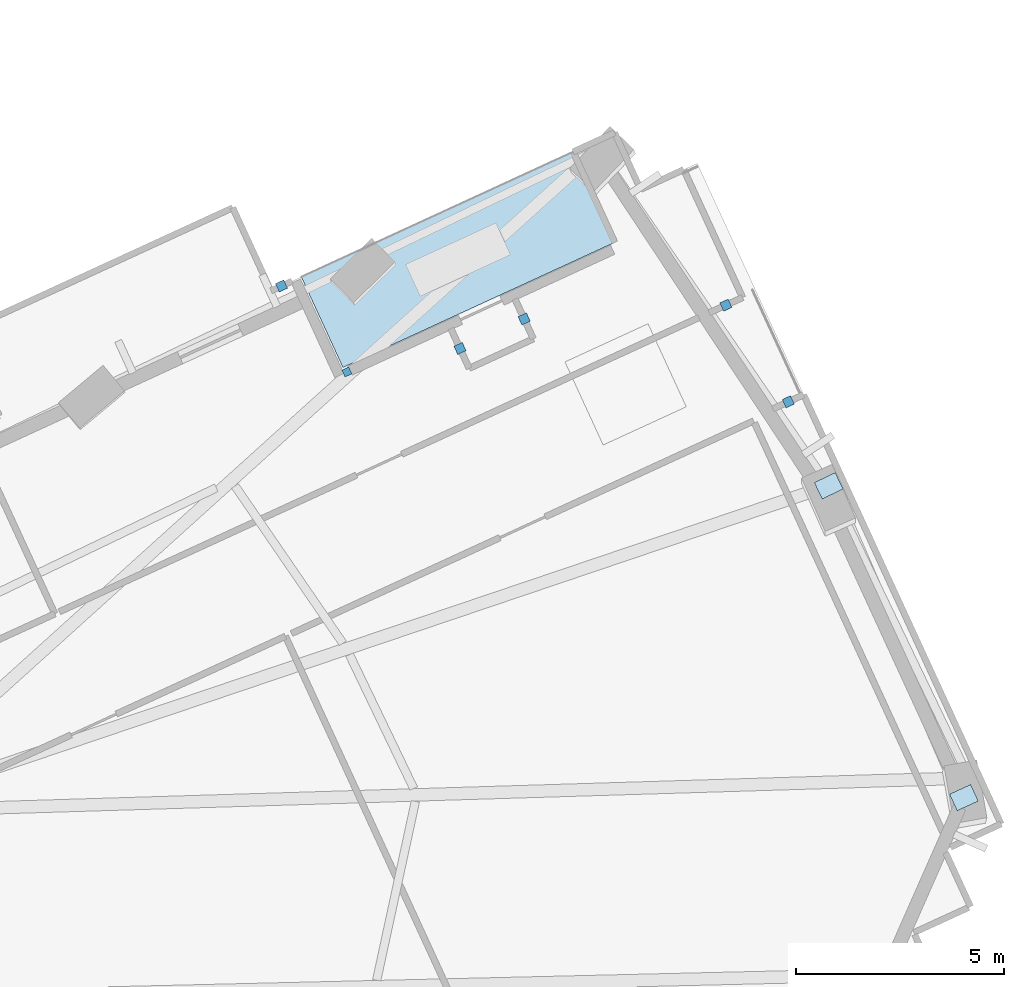
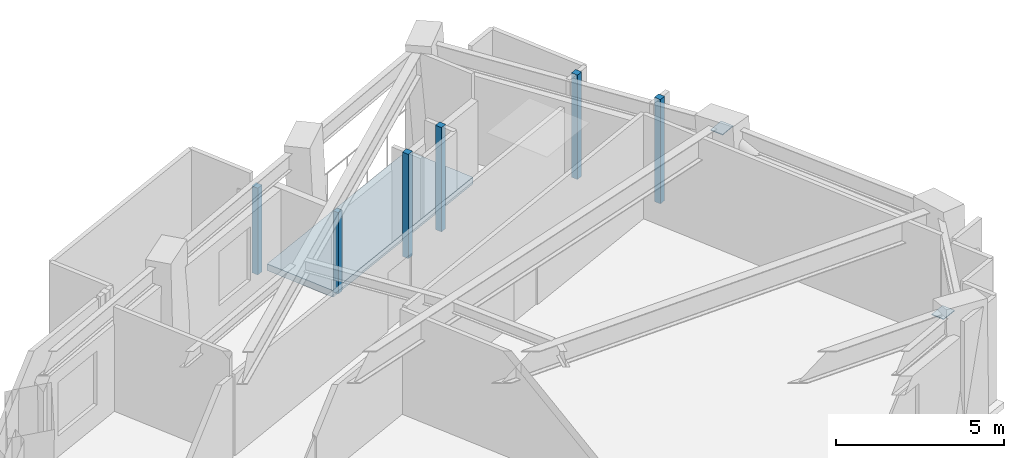
# One storey, part 6 of 16: 8 plates, 1 slab.
"""IFC4 building model written with IfcOpenShell, lengths in metres."""

from ifc_helpers import new_model, si_unit, direction, frame, origin, origin_2d, place, context, subcontext, project, spatial, polyline, rectangle, outline, extrude, material, layer, layer_set, type_object, element, save


model = new_model("IFC4")

# Units and contexts
model_context = context("Model", 3, precision=1e-05, world=origin(), true_north=direction((0.0, 1.0)))
body_context = subcontext(model_context, "Body", "Model", "MODEL_VIEW")
ifc_project = project(units=[si_unit("LENGTHUNIT", "METRE"), si_unit("AREAUNIT", "SQUARE_METRE"), si_unit("VOLUMEUNIT", "CUBIC_METRE"), si_unit("PLANEANGLEUNIT", "RADIAN"), si_unit("MASSUNIT", "GRAM", prefix="KILO")], contexts=[model_context])

# Site, building, storey
site_placement = place(None, origin())
site = spatial("IfcSite", under=ifc_project, at=site_placement, CompositionType="ELEMENT")
building_placement = place(site_placement, origin())
building = spatial("IfcBuilding", under=site, at=building_placement, Name="Gaonmaruhae Medical Tower", CompositionType="ELEMENT")
storey_placement = place(building_placement, frame((0.0, 0.0, 128.39990234375)))
storey = spatial("IfcBuildingStorey", under=building, at=storey_placement, Name="L30", CompositionType="ELEMENT", Elevation=128.39990234375)

# Plates
ifc_material_1 = material(Name="Steel HSA650 (650 MPa)", Category="steel")
ifc_layer_1 = layer(ifc_material_1, 0.028076171875)
ifc_layer_set_1 = layer_set([ifc_layer_1], Name="Steel HSA650 (650 MPa)")
plate_type_1 = type_object("IfcPlateType", Name="GP-02 Tube Brace End Cap Gusset Plate", PredefinedType="USERDEFINED", material=ifc_layer_set_1)
for number, where, z_axis, x_axis, name in (
    (1, (62.054443359375, 17.139404296875, 0.23583984375), (0.0, 0.0, 1.0), (0.908508177527, 0.417867073801, 0.0), "L30 Gusset Cap Plate PLT-L30-PBR-E01A"),
    (2, (58.80126953125, 24.6435546875, 3.51611328125), (0.0, 0.0, 1.0), (0.901455117112, 0.43287258152, 0.0), "L30 Gusset Cap Plate PLT-L30-PBR-E01B"),
):
    element("IfcPlate", number, at=place(storey_placement, frame(where, z_axis=z_axis, x_axis=x_axis)), inside=storey, type_object=plate_type_1, Name=name, ObjectType="GUSSET_PLATE", PredefinedType="USERDEFINED", context=body_context, shape_type="SweptSolid", body=[
        extrude(rectangle(XDim=0.56005859375, YDim=0.43994140625, at=origin_2d()), origin(), (0.0, 0.0, 1.0), 0.028076171875),
    ])
ifc_material_2 = material(Name="Anodised aluminium 6063-T6", Category="aluminium")
ifc_layer_2 = layer(ifc_material_2, 0.011962890625)
ifc_layer_set_2 = layer_set([ifc_layer_2], Name="Anodised aluminium 6063-T6")
plate_type_2 = type_object("IfcPlateType", Name="PP-01 Interior Partition Corner Stiffener Plate", PredefinedType="SHEET", material=ifc_layer_set_2)
plate_1_placement = place(storey_placement, frame((47.2060546875, 27.381591796875, 0.0), z_axis=(0.0, 0.0, 1.0), x_axis=(0.908508177527, 0.417867073801, 0.0)))
element("IfcPlate", 3, at=plate_1_placement, inside=storey, type_object=plate_type_2, Name="L30 Partition End Jamb Post Plate PLT-L30-ENDP-TERB-0", PredefinedType="SHEET", context=body_context, shape_type="SweptSolid", body=[
    extrude(rectangle(XDim=0.179931640625, YDim=0.179931640625, at=origin_2d()), origin(), (0.0, 0.0, 1.0), 2.945068359375),
])
plate_2_placement = place(storey_placement, frame((45.633056640625, 29.4541015625, 0.0), z_axis=(0.0, 0.0, 1.0), x_axis=(0.908384153882, 0.418136615206, 0.0)))
element("IfcPlate", 4, at=plate_2_placement, inside=storey, type_object=plate_type_2, Name="L30 Partition Corner Stiffener Plate PLT-L30-JGP-PW068", PredefinedType="SHEET", context=body_context, shape_type="SweptSolid", body=[
    extrude(rectangle(XDim=0.219970703125, YDim=0.219970703125, at=origin_2d()), origin(), (0.0, 0.0, 1.0), 3.14501953125),
])
for number, where, z_axis, x_axis, name in (
    (5, (49.928466796875, 27.948486328125, 0.0), (0.0, 0.0, 1.0), (0.417803646947, -0.908537347938, 0.0), "L30 Partition Corner Stiffener Plate PLT-L30-JGP-PW069"),
    (6, (51.472412109375, 28.658935546875, 0.0), (0.0, 0.0, 1.0), (-0.418152469437, 0.908376855883, 0.0), "L30 Partition Corner Stiffener Plate PLT-L30-JGP-PW071"),
    (7, (56.326904296875, 28.990478515625, 0.0), (0.0, 0.0, 1.0), (-0.908457118653, -0.417978065895, 0.0), "L30 Partition Corner Stiffener Plate PLT-L30-JGP-PW077"),
    (8, (57.827880859375, 26.6650390625, 0.0), (0.0, 0.0, 1.0), (0.908602965172, 0.41766092908, 0.0), "L30 Partition Corner Stiffener Plate PLT-L30-JGP-PW100"),
):
    element("IfcPlate", number, at=place(storey_placement, frame(where, z_axis=z_axis, x_axis=x_axis)), inside=storey, type_object=plate_type_2, Name=name, PredefinedType="SHEET", context=body_context, shape_type="SweptSolid", body=[
        extrude(rectangle(XDim=0.219970703125, YDim=0.219970703125, at=origin_2d()), origin(), (0.0, 0.0, 1.0), 3.780029296875),
    ])

# Slab
ifc_material_3 = material(Name="Concrete C40/50", Category="concrete")
ifc_layer_3 = layer(ifc_material_3, 0.239990234375)
ifc_layer_set_3 = layer_set([ifc_layer_3], Name="Concrete C40/50")
slab_type = type_object("IfcSlabType", Name="TS-240 Sky Garden & Recovery Terrace Slab", PredefinedType="FLOOR", material=ifc_layer_set_3)
slab_placement = place(storey_placement, frame((0.0, 0.0, -0.239990234375)))
element("IfcSlab", 9, at=slab_placement, inside=storey, type_object=slab_type, Name="L30 Outdoor Recovery Terrace Slab", PredefinedType="FLOOR", context=body_context, shape_type="SweptSolid", body=[
    extrude(outline(polyline([(47.111083984375, 27.4921875), (53.65234375, 30.500732421875), (52.649658203125, 32.68115234375), (46.1083984375, 29.672607421875), (47.111083984375, 27.4921875)])), origin(), (0.0, 0.0, 1.0), 0.239990234375),
])

save(model, "model.ifc")
